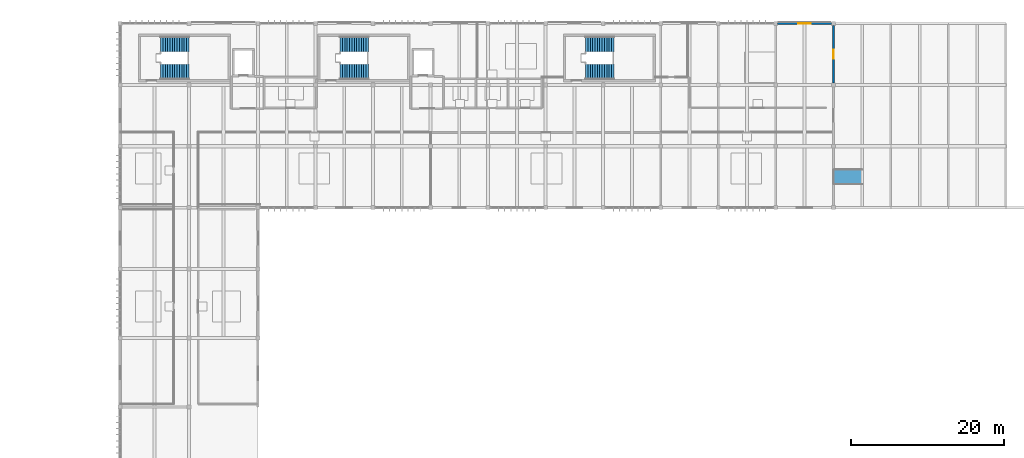
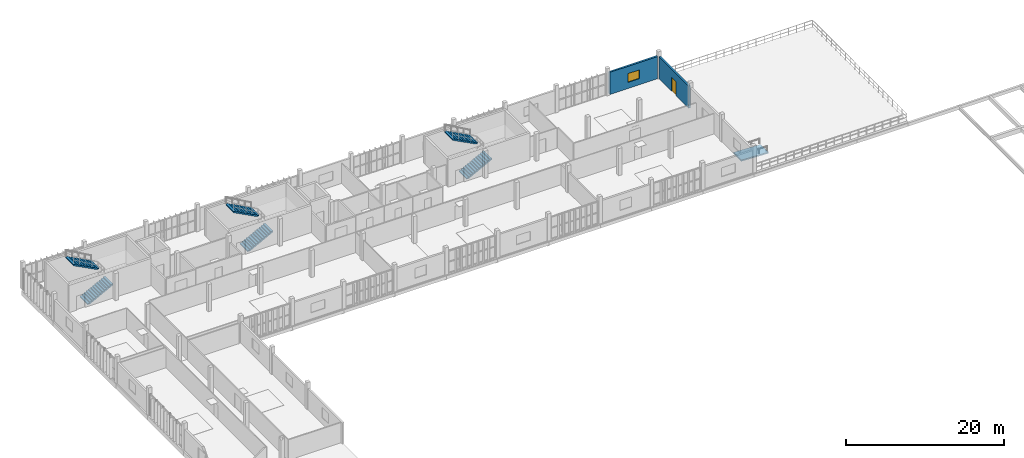
# One storey, part 21 of 27: 6 stair flights, 2 walls, 1 door, 1 ramp flight, 1 window, 2 openings, 4 elements without a shape of their own.
"""IFC4 building model written with IfcOpenShell, lengths in metres."""

import ifcopenshell
import ifcopenshell.guid

model = None  # the IFC model being written
_history = None  # IfcOwnerHistory: only IFC2X3 demands one
_inside = {}  # id of a spatial element -> (the spatial element, [elements in it])
_under = {}  # id of a project, library or spatial element -> (it, [spatial elements below it])
_declared = {}  # id of a project -> (the project, [libraries it declares])
_typed = {}  # id of a type object -> (the type object, [elements of that type])
_made_of = {}  # id of a material, layer set ... -> (it, [elements and type objects made of it])


def new_model(schema):
    """Start an empty IFC model of exactly this schema.

    Asked for "IFC4X3", IfcOpenShell would pick the latest addendum, in which some entities
    have other attributes; the version numbers below select the first issue.
    IFC2X3 requires an IfcOwnerHistory on every rooted entity: one is made here for all.
    """
    global model, _history
    if schema == "IFC4X3":
        model = ifcopenshell.file(schema_version=(4, 3, 0, 0))
    else:
        model = ifcopenshell.file(schema=schema)
    _inside.clear()
    _under.clear()
    _declared.clear()
    _typed.clear()
    _made_of.clear()
    _history = None
    if model.schema == "IFC2X3":
        org = make("IfcOrganization", Name="unknown")
        user = make(
            "IfcPersonAndOrganization",
            ThePerson=make("IfcPerson", FamilyName="unknown"),
            TheOrganization=org,
        )
        app = make(
            "IfcApplication",
            ApplicationDeveloper=org,
            Version="unknown",
            ApplicationFullName="unknown",
            ApplicationIdentifier="unknown",
        )
        _history = make(
            "IfcOwnerHistory",
            OwningUser=user,
            OwningApplication=app,
            ChangeAction="ADDED",
            CreationDate=0,
        )
    return model


def make(cls, **values):
    """One entity of the class cls with the attributes given. An attribute that is None is left unset."""
    return model.create_entity(
        cls, **{name: value for name, value in values.items() if value is not None}
    )


def rooted(cls, **values):
    """An entity with a GlobalId (a new one), such as an element, a storey or a relation."""
    return make(cls, GlobalId=ifcopenshell.guid.new(), OwnerHistory=_history, **values)


def si_unit(unit_type, name, prefix=None):
    """IfcSIUnit, for example si_unit("LENGTHUNIT", "METRE", prefix="MILLI")."""
    return make("IfcSIUnit", UnitType=unit_type, Prefix=prefix, Name=name)


def assignment(units):
    """IfcUnitAssignment: the units of a project."""
    return None if units is None else make("IfcUnitAssignment", Units=units)


def point(xyz):
    """IfcCartesianPoint."""
    return None if xyz is None else make("IfcCartesianPoint", Coordinates=xyz)


def direction(xyz):
    """IfcDirection."""
    return None if xyz is None else make("IfcDirection", DirectionRatios=xyz)


def frame(location, z_axis=None, x_axis=None):
    """IfcAxis2Placement3D, a coordinate frame: its origin and axes. An axis left out is left unset."""
    return make(
        "IfcAxis2Placement3D",
        Location=point(location),
        Axis=direction(z_axis),
        RefDirection=direction(x_axis),
    )


def frame_2d(location, x_axis=None):
    """IfcAxis2Placement2D, a coordinate frame in the plane: its origin and x axis."""
    return make(
        "IfcAxis2Placement2D", Location=point(location), RefDirection=direction(x_axis)
    )


def origin():
    """The frame at (0, 0, 0) with its axes left unset."""
    return frame((0.0, 0.0, 0.0))


def place(relative_to, where):
    """IfcLocalPlacement: puts the frame where relative to a parent placement (None: the world)."""
    return make(
        "IfcLocalPlacement", PlacementRelTo=relative_to, RelativePlacement=where
    )


def context(
    kind, dimensions, precision=None, world=None, true_north=None, identifier=None
):
    """IfcGeometricRepresentationContext, for example the 3D "Model" context."""
    return make(
        "IfcGeometricRepresentationContext",
        ContextIdentifier=identifier,
        ContextType=kind,
        CoordinateSpaceDimension=dimensions,
        Precision=precision,
        WorldCoordinateSystem=world,
        TrueNorth=true_north,
    )


def subcontext(parent, identifier, kind, view, scale=None):
    """IfcGeometricRepresentationSubContext, for example "Body" below "Model"."""
    return make(
        "IfcGeometricRepresentationSubContext",
        ContextIdentifier=identifier,
        ContextType=kind,
        ParentContext=parent,
        TargetScale=scale,
        TargetView=view,
    )


def project(units=None, contexts=None):
    """IfcProject with its units and contexts."""
    return rooted(
        "IfcProject",
        Name="project",
        RepresentationContexts=contexts,
        UnitsInContext=assignment(units),
    )


def spatial(cls, under=None, at=None, **own):
    """A site, building, storey or space (cls), placed at a placement, below another one or the project."""
    s = rooted(cls, ObjectPlacement=at, **own)
    if under is not None:
        _under.setdefault(under.id(), (under, []))[1].append(s)
    return s


def polyline(points):
    """IfcPolyline through the points."""
    return make("IfcPolyline", Points=[point(p) for p in points])


def profile(cls, at=None, kind="AREA", **sizes):
    """A parametric profile (cls). Its sizes go by their IFC names, for example OverallWidth=200.0."""
    return make(cls, ProfileType=kind, Position=at, **sizes)


def rectangle(**sizes):
    """IfcRectangleProfileDef."""
    return profile("IfcRectangleProfileDef", **sizes)


def outline(outer, holes=None, kind="AREA"):
    """IfcArbitraryClosedProfileDef: a profile drawn as a closed curve; with holes, ...WithVoids."""
    if holes is None:
        return make("IfcArbitraryClosedProfileDef", ProfileType=kind, OuterCurve=outer)
    return make(
        "IfcArbitraryProfileDefWithVoids",
        ProfileType=kind,
        OuterCurve=outer,
        InnerCurves=holes,
    )


def extrude(swept, where, along, depth):
    """IfcExtrudedAreaSolid: the profile swept, set in the frame where, extruded along a direction by depth."""
    return make(
        "IfcExtrudedAreaSolid",
        SweptArea=swept,
        Position=where,
        ExtrudedDirection=direction(along),
        Depth=depth,
    )


def shape(context_of_items, identifier, shape_type, items):
    """IfcShapeRepresentation: the items that make up one representation, for example the "Body"."""
    return make(
        "IfcShapeRepresentation",
        ContextOfItems=context_of_items,
        RepresentationIdentifier=identifier,
        RepresentationType=shape_type,
        Items=items,
    )


def material(Name=None, Category=None):
    """IfcMaterial."""
    return make("IfcMaterial", Name=Name, Category=Category)


def layer(
    of_material, thickness, ventilated=None, Name=None, Category=None, Priority=None
):
    """IfcMaterialLayer: one layer of a wall or slab, of a material (None: an air gap)."""
    return make(
        "IfcMaterialLayer",
        Material=of_material,
        LayerThickness=thickness,
        IsVentilated=ventilated,
        Name=Name,
        Category=Category,
        Priority=Priority,
    )


def layer_set(layers, Name=None):
    """IfcMaterialLayerSet."""
    return make("IfcMaterialLayerSet", MaterialLayers=layers, LayerSetName=Name)


def made_of(thing, what):
    """Note that an element or type object is made of a material, layer set ...; save() writes the relation."""
    if what is not None:
        _made_of.setdefault(what.id(), (what, []))[1].append(thing)
    return thing


def type_object(cls, material=None, **own):
    """A type object (cls), such as IfcWallType, which elements share."""
    return made_of(rooted(cls, **own), material)


def element(
    cls,
    number,
    at=None,
    inside=None,
    cuts=None,
    type_object=None,
    material=None,
    context=None,
    identifier="Body",
    shape_type=None,
    held_by="IfcProductDefinitionShape",
    body=None,
    shapes=None,
    **own,
):
    """One element of the class cls, such as IfcWall. Its Tag is "e" and its number.

    at: its placement. inside: the storey or other place that contains it. cuts: it is an
    opening in that element (IfcRelVoidsElement). A single representation is given by context,
    identifier, shape_type and body (its items); several are given by shapes. held_by: the class
    of the entity that holds the representations. save() writes the other relations.
    """
    e = rooted(cls, Tag="e%d" % number, ObjectPlacement=at, **own)
    if body is not None:
        shapes = [shape(context, identifier, shape_type, body)]
    if shapes is not None:
        e.Representation = make(held_by, Representations=shapes)
    if inside is not None:
        _inside.setdefault(inside.id(), (inside, []))[1].append(e)
    if cuts is not None:
        rooted(
            "IfcRelVoidsElement", RelatingBuildingElement=cuts, RelatedOpeningElement=e
        )
    if type_object is not None:
        _typed.setdefault(type_object.id(), (type_object, []))[1].append(e)
    return made_of(e, material)


def fill(opening, filler):
    """IfcRelFillsElement: the door or window that sits in an opening."""
    return rooted(
        "IfcRelFillsElement",
        RelatingOpeningElement=opening,
        RelatedBuildingElement=filler,
    )


def aggregate(whole, parts):
    """IfcRelAggregates: a whole, such as a stair, and the parts it consists of."""
    return rooted("IfcRelAggregates", RelatingObject=whole, RelatedObjects=parts)


def save(model, path):
    """Write the relations noted so far, then the file.

    IfcRelAggregates (storeys below a building ...), IfcRelContainedInSpatialStructure (elements
    in a storey), IfcRelDefinesByType, IfcRelAssociatesMaterial and IfcRelDeclares: one each for
    every whole, place, type object, material and project.
    """
    for whole, parts in _under.values():
        aggregate(whole, parts)
    for where, things in _inside.values():
        rooted(
            "IfcRelContainedInSpatialStructure",
            RelatedElements=things,
            RelatingStructure=where,
        )
    for kind, things in _typed.values():
        rooted("IfcRelDefinesByType", RelatedObjects=things, RelatingType=kind)
    for what, things in _made_of.values():
        rooted("IfcRelAssociatesMaterial", RelatedObjects=things, RelatingMaterial=what)
    for by, libraries in _declared.values():
        rooted("IfcRelDeclares", RelatingContext=by, RelatedDefinitions=libraries)
    model.write(path)


model = new_model("IFC4")

# Units and contexts
model_context = context("Model", 3, precision=1e-05, world=origin(), true_north=direction((0.0, 1.0)))
body_context = subcontext(model_context, "Body", "Model", "MODEL_VIEW")
ifc_project = project(units=[si_unit("LENGTHUNIT", "METRE"), si_unit("AREAUNIT", "SQUARE_METRE"), si_unit("VOLUMEUNIT", "CUBIC_METRE"), si_unit("PLANEANGLEUNIT", "RADIAN"), si_unit("MASSUNIT", "GRAM", prefix="KILO")], contexts=[model_context])

# Site, building, storey
site_placement = place(None, origin())
site = spatial("IfcSite", under=ifc_project, at=site_placement, CompositionType="ELEMENT")
building_placement = place(site_placement, origin())
building = spatial("IfcBuilding", under=site, at=building_placement, Name="Vourika Railside Aquatics Centre", CompositionType="ELEMENT")
storey_placement = place(building_placement, frame((0.0, 0.0, 13.5)))
storey = spatial("IfcBuildingStorey", under=building, at=storey_placement, Name="L03", CompositionType="ELEMENT", Elevation=13.5)

# Wall, opening, window
ifc_material_1 = material(Name="Precast concrete C40/50", Category="concrete")
ifc_layer_1 = layer(ifc_material_1, 0.27001953125, Name="WL-EXT-270")
ifc_layer_set_1 = layer_set([ifc_layer_1], Name="Precast concrete C40/50")
wall_type = type_object("IfcWallType", Name="WL-EXT-270", PredefinedType="SOLIDWALL", material=ifc_layer_set_1)
wall_1_placement = place(storey_placement, frame((110.75, 116.0, 0.0), z_axis=(0.0, 0.0, 1.0), x_axis=(-1.0, 0.0, 0.0)))
wall_1 = element("IfcWall", 1, at=wall_1_placement, inside=storey, type_object=wall_type, Name="North Boulevard Precast Bay L03-12", PredefinedType="SOLIDWALL", context=body_context, shape_type="SweptSolid", body=[
    extrude(rectangle(XDim=7.0, YDim=0.27001953125, at=frame_2d((3.5, 0.0))), origin(), (0.0, 0.0, 1.0), 3.429931640625),
])
opening_1_placement = place(wall_1_placement, frame((2.675048828125, 0.0, 0.949951171875)))
opening_1 = element("IfcOpeningElement", 2, at=opening_1_placement, cuts=wall_1, Name="Opening W13", PredefinedType="OPENING", context=body_context, shape_type="SweptSolid", body=[
    extrude(rectangle(XDim=1.64990234375, YDim=1.35009765625, at=frame_2d((0.824951171875, 0.675048828125))), frame((0.0, 0.14501953125, 0.0), z_axis=(0.0, -1.0, 0.0), x_axis=(1.0, 0.0, 0.0)), (0.0, 0.0, 1.0), 0.2900390625),
])
ifc_material_2 = material(Name="Laminated solar-control glass", Category="glass")
window_type = type_object("IfcWindowType", Name="WN-SPA-165x135", PartitioningType="SINGLE_PANEL", PredefinedType="WINDOW", material=ifc_material_2)
window_placement = place(opening_1_placement, origin())
window = element("IfcWindow", 3, at=window_placement, inside=storey, type_object=window_type, Name="North Boulevard Studio Window L03-12", OverallHeight=1.35009765625, OverallWidth=1.64990234375, PartitioningType="SINGLE_PANEL", PredefinedType="WINDOW", context=body_context, shape_type="SweptSolid", body=[
    extrude(rectangle(XDim=1.64990234375, YDim=1.35009765625, at=frame_2d((0.824951171875, 0.675048828125))), frame((0.0, 0.030029296875, 0.0), z_axis=(0.0, -1.0, 0.0), x_axis=(1.0, 0.0, 0.0)), (0.0, 0.0, 1.0), 0.06005859375),
])
fill(opening_1, window)

# Wall, opening, door
wall_2_placement = place(storey_placement, frame((111.0, 108.25, 0.0), z_axis=(0.0, 0.0, 1.0), x_axis=(0.0, 1.0, 0.0)))
wall_2 = element("IfcWall", 4, at=wall_2_placement, inside=storey, type_object=wall_type, Name="Fitness Step-Back East Wall L03-3", PredefinedType="SOLIDWALL", context=body_context, shape_type="SweptSolid", body=[
    extrude(rectangle(XDim=7.5, YDim=0.27001953125, at=frame_2d((3.75, 0.0))), origin(), (0.0, 0.0, 1.0), 3.429931640625),
])
opening_2_placement = place(wall_2_placement, frame((3.14990234375, 0.0, 0.0)))
opening_2 = element("IfcOpeningElement", 5, at=opening_2_placement, cuts=wall_2, Name="Opening DE07", PredefinedType="OPENING", context=body_context, shape_type="SweptSolid", body=[
    extrude(rectangle(XDim=1.199951171875, YDim=2.14990234375, at=frame_2d((0.60009765625, 1.074951171875))), frame((0.0, 0.14501953125, 0.0), z_axis=(0.0, -1.0, 0.0), x_axis=(1.0, 0.0, 0.0)), (0.0, 0.0, 1.0), 0.2900390625),
])
ifc_material_3 = material(Name="Anodized aluminium", Category="aluminium")
door_type = type_object("IfcDoorType", Name="DR-EXT-TER120", OperationType="NOTDEFINED", PredefinedType="DOOR", material=ifc_material_3)
door_placement = place(opening_2_placement, frame((1.199951171875, 0.0, 0.0), z_axis=(0.0, 0.0, 1.0), x_axis=(-1.0, 0.0, 0.0)))
door = element("IfcDoor", 6, at=door_placement, inside=storey, type_object=door_type, Name="L03 Sun Terrace Access Door 3", OperationType="SINGLE_SWING_RIGHT", OverallHeight=2.14990234375, OverallWidth=1.199951171875, PredefinedType="DOOR", context=body_context, shape_type="SweptSolid", body=[
    extrude(rectangle(XDim=1.199951171875, YDim=2.14990234375, at=frame_2d((0.60009765625, 1.074951171875))), frame((0.0, 0.02490234375, 0.0), z_axis=(0.0, -1.0, 0.0), x_axis=(1.0, 0.0, 0.0)), (0.0, 0.0, 1.0), 0.050048828125),
])
fill(opening_2, door)

# Stair, stair flights
ifc_material_4 = material(Name="Concrete C35/45", Category="concrete")
stair_type = type_object("IfcStairType", Name="STR-CORE-L03", PredefinedType="TWO_STRAIGHT_RUN_STAIR", material=ifc_material_4)
stair_1_placement = place(storey_placement, origin())
stair_1 = element("IfcStair", 7, at=stair_1_placement, inside=storey, type_object=stair_type, Name="Protected Exit Stair Core ST01 (L03)", PredefinedType="TWO_STRAIGHT_RUN_STAIR")
stair_flight_type = type_object("IfcStairFlightType", Name="STF-CORE-L03", PredefinedType="STRAIGHT", material=ifc_material_4)
stair_flight_1_placement = place(storey_placement, frame((23.300048828125, 109.719970703125, 0.0), z_axis=(0.0, 0.0, 1.0), x_axis=(1.0, 0.0, 0.0)))
stair_flight_1 = element("IfcStairFlight", 8, at=stair_flight_1_placement, type_object=stair_flight_type, Name="STC-L03 flight 1", NumberOfRisers=13, NumberOfTreads=12, PredefinedType="STRAIGHT", RiserHeight=0.161538, TreadLength=0.308, context=body_context, shape_type="SweptSolid", body=[
    extrude(outline(polyline([(0.0, 0.0), (0.0, 0.16162109375), (0.30810546875, 0.16162109375), (0.30810546875, 0.322998046875), (0.615966796875, 0.322998046875), (0.615966796875, 0.484619140625), (0.924072265625, 0.484619140625), (0.924072265625, 0.646240234375), (1.23193359375, 0.646240234375), (1.23193359375, 0.8076171875), (1.5400390625, 0.8076171875), (1.5400390625, 0.96923828125), (1.847900390625, 0.96923828125), (1.847900390625, 1.130859375), (2.156005859375, 1.130859375), (2.156005859375, 1.292236328125), (2.464111328125, 1.292236328125), (2.464111328125, 1.453857421875), (2.77197265625, 1.453857421875), (2.77197265625, 1.615478515625), (3.080078125, 1.615478515625), (3.080078125, 1.77685546875), (3.387939453125, 1.77685546875), (3.387939453125, 1.9384765625), (3.696044921875, 1.9384765625), (3.696044921875, 2.10009765625), (3.696044921875, 1.7578125), (0.34423828125, 0.0), (0.0, 0.0)])), frame((0.0, 1.0, 0.0), z_axis=(0.0, -1.0, 0.0), x_axis=(1.0, 0.0, 0.0)), (0.0, 0.0, 1.0), 2.0),
])
stair_flight_2_placement = place(storey_placement, frame((26.99609375, 113.280029296875, 2.10009765625), z_axis=(0.0, 0.0, 1.0), x_axis=(-1.0, 0.0, 0.0)))
stair_flight_2 = element("IfcStairFlight", 9, at=stair_flight_2_placement, type_object=stair_flight_type, Name="STC-L03 flight 2", NumberOfRisers=13, NumberOfTreads=12, PredefinedType="STRAIGHT", RiserHeight=0.161538, TreadLength=0.308, context=body_context, shape_type="SweptSolid", body=[
    extrude(outline(polyline([(0.0, 0.0), (0.0, 0.16162109375), (0.30810546875, 0.16162109375), (0.30810546875, 0.322998046875), (0.615966796875, 0.322998046875), (0.615966796875, 0.484619140625), (0.924072265625, 0.484619140625), (0.924072265625, 0.646240234375), (1.23193359375, 0.646240234375), (1.23193359375, 0.8076171875), (1.5400390625, 0.8076171875), (1.5400390625, 0.96923828125), (1.847900390625, 0.96923828125), (1.847900390625, 1.130859375), (2.156005859375, 1.130859375), (2.156005859375, 1.292236328125), (2.464111328125, 1.292236328125), (2.464111328125, 1.453857421875), (2.77197265625, 1.453857421875), (2.77197265625, 1.615478515625), (3.080078125, 1.615478515625), (3.080078125, 1.77685546875), (3.387939453125, 1.77685546875), (3.387939453125, 1.9384765625), (3.696044921875, 1.9384765625), (3.696044921875, 2.10009765625), (3.696044921875, 1.7578125), (0.34423828125, 0.0), (0.0, 0.0)])), frame((0.0, 1.0, 0.0), z_axis=(0.0, -1.0, 0.0), x_axis=(1.0, 0.0, 0.0)), (0.0, 0.0, 1.0), 2.0),
])
aggregate(stair_1, [stair_flight_1, stair_flight_2])

stair_2_placement = place(storey_placement, origin())
stair_2 = element("IfcStair", 10, at=stair_2_placement, inside=storey, type_object=stair_type, Name="Protected Exit Stair Core ST02 (L03)", PredefinedType="TWO_STRAIGHT_RUN_STAIR")
stair_flight_3_placement = place(storey_placement, frame((46.699951171875, 109.719970703125, 0.0), z_axis=(0.0, 0.0, 1.0), x_axis=(1.0, 0.0, 0.0)))
stair_flight_3 = element("IfcStairFlight", 11, at=stair_flight_3_placement, type_object=stair_flight_type, Name="STC-L03 flight 1", NumberOfRisers=13, NumberOfTreads=12, PredefinedType="STRAIGHT", RiserHeight=0.161538, TreadLength=0.308, context=body_context, shape_type="SweptSolid", body=[
    extrude(outline(polyline([(0.0, 0.0), (0.0, 0.16162109375), (0.30810546875, 0.16162109375), (0.30810546875, 0.322998046875), (0.615966796875, 0.322998046875), (0.615966796875, 0.484619140625), (0.924072265625, 0.484619140625), (0.924072265625, 0.646240234375), (1.23193359375, 0.646240234375), (1.23193359375, 0.8076171875), (1.5400390625, 0.8076171875), (1.5400390625, 0.96923828125), (1.847900390625, 0.96923828125), (1.847900390625, 1.130859375), (2.156005859375, 1.130859375), (2.156005859375, 1.292236328125), (2.464111328125, 1.292236328125), (2.464111328125, 1.453857421875), (2.77197265625, 1.453857421875), (2.77197265625, 1.615478515625), (3.080078125, 1.615478515625), (3.080078125, 1.77685546875), (3.387939453125, 1.77685546875), (3.387939453125, 1.9384765625), (3.696044921875, 1.9384765625), (3.696044921875, 2.10009765625), (3.696044921875, 1.7578125), (0.34423828125, 0.0), (0.0, 0.0)])), frame((0.0, 1.0, 0.0), z_axis=(0.0, -1.0, 0.0), x_axis=(1.0, 0.0, 0.0)), (0.0, 0.0, 1.0), 2.0),
])
stair_flight_4_placement = place(storey_placement, frame((50.39599609375, 113.280029296875, 2.10009765625), z_axis=(0.0, 0.0, 1.0), x_axis=(-1.0, 0.0, 0.0)))
stair_flight_4 = element("IfcStairFlight", 12, at=stair_flight_4_placement, type_object=stair_flight_type, Name="STC-L03 flight 2", NumberOfRisers=13, NumberOfTreads=12, PredefinedType="STRAIGHT", RiserHeight=0.161538, TreadLength=0.308, context=body_context, shape_type="SweptSolid", body=[
    extrude(outline(polyline([(0.0, 0.0), (0.0, 0.16162109375), (0.30810546875, 0.16162109375), (0.30810546875, 0.322998046875), (0.615966796875, 0.322998046875), (0.615966796875, 0.484619140625), (0.924072265625, 0.484619140625), (0.924072265625, 0.646240234375), (1.23193359375, 0.646240234375), (1.23193359375, 0.8076171875), (1.5400390625, 0.8076171875), (1.5400390625, 0.96923828125), (1.847900390625, 0.96923828125), (1.847900390625, 1.130859375), (2.156005859375, 1.130859375), (2.156005859375, 1.292236328125), (2.464111328125, 1.292236328125), (2.464111328125, 1.453857421875), (2.77197265625, 1.453857421875), (2.77197265625, 1.615478515625), (3.080078125, 1.615478515625), (3.080078125, 1.77685546875), (3.387939453125, 1.77685546875), (3.387939453125, 1.9384765625), (3.696044921875, 1.9384765625), (3.696044921875, 2.10009765625), (3.696044921875, 1.7578125), (0.34423828125, 0.0), (0.0, 0.0)])), frame((0.0, 1.0, 0.0), z_axis=(0.0, -1.0, 0.0), x_axis=(1.0, 0.0, 0.0)), (0.0, 0.0, 1.0), 2.0),
])
aggregate(stair_2, [stair_flight_3, stair_flight_4])

stair_3_placement = place(storey_placement, origin())
stair_3 = element("IfcStair", 13, at=stair_3_placement, inside=storey, type_object=stair_type, Name="Protected Exit Stair Core ST03 (L03)", PredefinedType="TWO_STRAIGHT_RUN_STAIR")
stair_flight_5_placement = place(storey_placement, frame((78.699951171875, 109.719970703125, 0.0), z_axis=(0.0, 0.0, 1.0), x_axis=(1.0, 0.0, 0.0)))
stair_flight_5 = element("IfcStairFlight", 14, at=stair_flight_5_placement, type_object=stair_flight_type, Name="STC-L03 flight 1", NumberOfRisers=13, NumberOfTreads=12, PredefinedType="STRAIGHT", RiserHeight=0.161538, TreadLength=0.308, context=body_context, shape_type="SweptSolid", body=[
    extrude(outline(polyline([(0.0, 0.0), (0.0, 0.16162109375), (0.30810546875, 0.16162109375), (0.30810546875, 0.322998046875), (0.615966796875, 0.322998046875), (0.615966796875, 0.484619140625), (0.924072265625, 0.484619140625), (0.924072265625, 0.646240234375), (1.23193359375, 0.646240234375), (1.23193359375, 0.8076171875), (1.5400390625, 0.8076171875), (1.5400390625, 0.96923828125), (1.847900390625, 0.96923828125), (1.847900390625, 1.130859375), (2.156005859375, 1.130859375), (2.156005859375, 1.292236328125), (2.464111328125, 1.292236328125), (2.464111328125, 1.453857421875), (2.77197265625, 1.453857421875), (2.77197265625, 1.615478515625), (3.080078125, 1.615478515625), (3.080078125, 1.77685546875), (3.387939453125, 1.77685546875), (3.387939453125, 1.9384765625), (3.696044921875, 1.9384765625), (3.696044921875, 2.10009765625), (3.696044921875, 1.7578125), (0.34423828125, 0.0), (0.0, 0.0)])), frame((0.0, 1.0, 0.0), z_axis=(0.0, -1.0, 0.0), x_axis=(1.0, 0.0, 0.0)), (0.0, 0.0, 1.0), 2.0),
])
stair_flight_6_placement = place(storey_placement, frame((82.39599609375, 113.280029296875, 2.10009765625), z_axis=(0.0, 0.0, 1.0), x_axis=(-1.0, 0.0, 0.0)))
stair_flight_6 = element("IfcStairFlight", 15, at=stair_flight_6_placement, type_object=stair_flight_type, Name="STC-L03 flight 2", NumberOfRisers=13, NumberOfTreads=12, PredefinedType="STRAIGHT", RiserHeight=0.161538, TreadLength=0.308, context=body_context, shape_type="SweptSolid", body=[
    extrude(outline(polyline([(0.0, 0.0), (0.0, 0.16162109375), (0.30810546875, 0.16162109375), (0.30810546875, 0.322998046875), (0.615966796875, 0.322998046875), (0.615966796875, 0.484619140625), (0.924072265625, 0.484619140625), (0.924072265625, 0.646240234375), (1.23193359375, 0.646240234375), (1.23193359375, 0.8076171875), (1.5400390625, 0.8076171875), (1.5400390625, 0.96923828125), (1.847900390625, 0.96923828125), (1.847900390625, 1.130859375), (2.156005859375, 1.130859375), (2.156005859375, 1.292236328125), (2.464111328125, 1.292236328125), (2.464111328125, 1.453857421875), (2.77197265625, 1.453857421875), (2.77197265625, 1.615478515625), (3.080078125, 1.615478515625), (3.080078125, 1.77685546875), (3.387939453125, 1.77685546875), (3.387939453125, 1.9384765625), (3.696044921875, 1.9384765625), (3.696044921875, 2.10009765625), (3.696044921875, 1.7578125), (0.34423828125, 0.0), (0.0, 0.0)])), frame((0.0, 1.0, 0.0), z_axis=(0.0, -1.0, 0.0), x_axis=(1.0, 0.0, 0.0)), (0.0, 0.0, 1.0), 2.0),
])
aggregate(stair_3, [stair_flight_5, stair_flight_6])

# Ramp, ramp flight
ramp_type = type_object("IfcRampType", Name="RMP-ACC-200", PredefinedType="STRAIGHT_RUN_RAMP", material=ifc_material_4)
ramp_placement = place(storey_placement, origin())
ramp = element("IfcRamp", 16, at=ramp_placement, inside=storey, type_object=ramp_type, Name="Hydrotherapy Sun Deck Threshold Ramp AR5", PredefinedType="STRAIGHT_RUN_RAMP")
ifc_layer_2 = layer(ifc_material_4, 0.199951171875, Name="RMF-ACC-200")
ifc_layer_set_2 = layer_set([ifc_layer_2], Name="Concrete C35/45")
ramp_flight_type = type_object("IfcRampFlightType", Name="RMF-ACC-200", PredefinedType="STRAIGHT", material=ifc_layer_set_2)
ramp_flight_placement = place(storey_placement, frame((110.919921875, 96.0, 0.0), z_axis=(0.0, 0.0, 1.0), x_axis=(1.0, 0.0, 0.0)))
ramp_flight = element("IfcRampFlight", 17, at=ramp_flight_placement, type_object=ramp_flight_type, Name="Hydrotherapy Sun Deck Threshold Ramp AR5 Flight", PredefinedType="STRAIGHT", context=body_context, shape_type="SweptSolid", body=[
    extrude(outline(polyline([(0.0, 0.0), (4.0, -0.14990234375), (4.0, -0.349853515625), (0.0, -0.199951171875), (0.0, 0.0)])), frame((0.0, 1.0, 0.0), z_axis=(0.0, -1.0, 0.0), x_axis=(1.0, 0.0, 0.0)), (0.0, 0.0, 1.0), 2.0),
])
aggregate(ramp, [ramp_flight])

save(model, "model.ifc")
